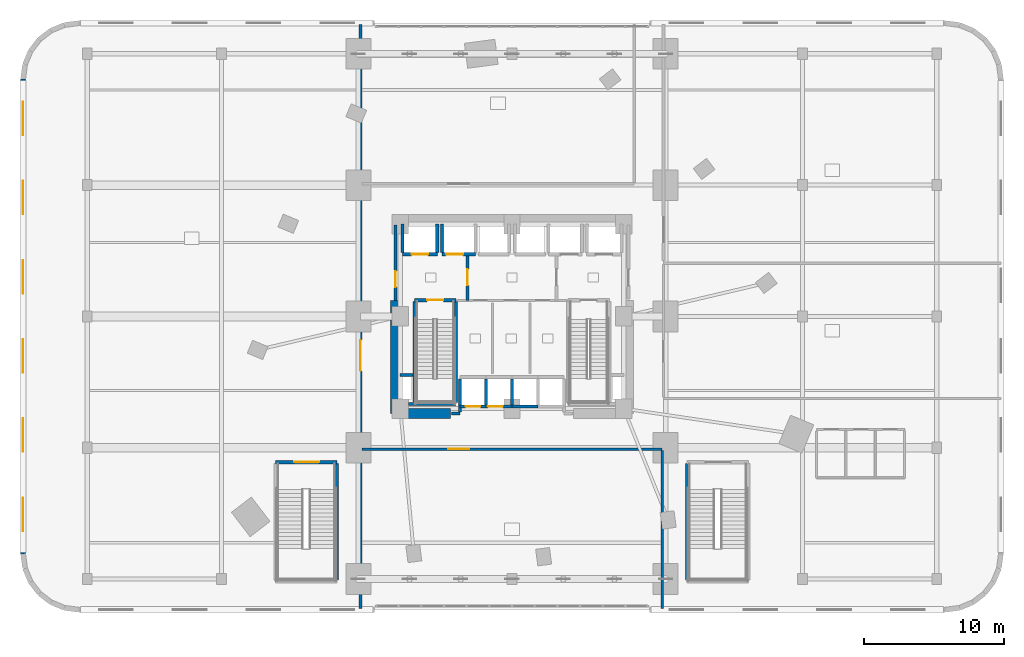
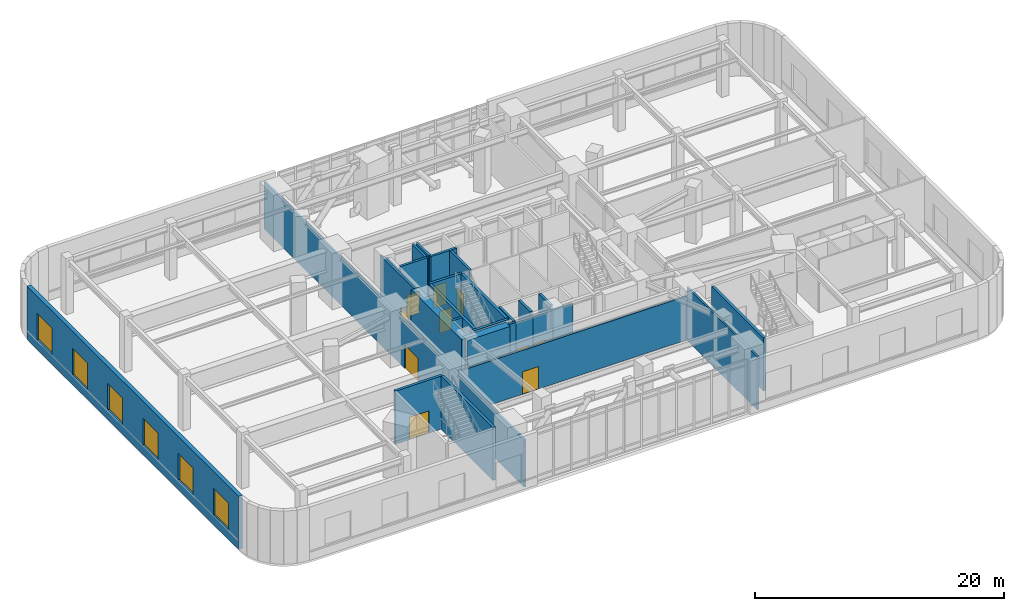
# One storey, part 13 of 19: 28 walls, 10 doors, 6 windows, 16 openings.
"""IFC4 building model written with IfcOpenShell, lengths in metres."""

from ifc_helpers import new_model, si_unit, direction, frame, frame_2d, origin, place, context, subcontext, project, spatial, rectangle, extrude, material, layer, layer_set, type_object, element, fill, save


model = new_model("IFC4")

# Units and contexts
model_context = context("Model", 3, precision=1e-05, world=origin(), true_north=direction((0.0, 1.0)))
body_context = subcontext(model_context, "Body", "Model", "MODEL_VIEW")
ifc_project = project(units=[si_unit("LENGTHUNIT", "METRE"), si_unit("AREAUNIT", "SQUARE_METRE"), si_unit("VOLUMEUNIT", "CUBIC_METRE"), si_unit("PLANEANGLEUNIT", "RADIAN"), si_unit("MASSUNIT", "GRAM", prefix="KILO")], contexts=[model_context])

# Site, building, storey
site_placement = place(None, origin())
site = spatial("IfcSite", under=ifc_project, at=site_placement, CompositionType="ELEMENT")
building_placement = place(site_placement, origin())
building = spatial("IfcBuilding", under=site, at=building_placement, Name="Ndelora Gate Hotel", CompositionType="ELEMENT")
storey_placement = place(building_placement, frame((0.0, 0.0, 16.0)))
storey = spatial("IfcBuildingStorey", under=building, at=storey_placement, Name="L03", CompositionType="ELEMENT", Elevation=16.0)

# Wall, openings, windows
ifc_material_1 = material(Name="Clay Brick Masonry", Category="masonry")
ifc_layer_1 = layer(ifc_material_1, 0.360107421875)
ifc_layer_set_1 = layer_set([ifc_layer_1], Name="Clay Brick Masonry")
wall_type_1 = type_object("IfcWallType", Name="WL-BRICK-360", PredefinedType="SOLIDWALL", material=ifc_layer_set_1)
wall_1_placement = place(storey_placement, frame((-35.0, -17.0, 0.0), z_axis=(0.0, 0.0, 1.0), x_axis=(0.0, 1.0, 0.0)))
wall_1 = element("IfcWall", 1, at=wall_1_placement, inside=storey, type_object=wall_type_1, Name="L03 Exterior Brick Pier-and-Spandrel Wall 22", PredefinedType="SOLIDWALL", context=body_context, shape_type="SweptSolid", body=[
    extrude(rectangle(XDim=34.0, YDim=0.360107421875, at=frame_2d((17.0, 0.0))), origin(), (0.0, 0.0, 1.0), 5.219970703125),
])
opening_1_placement = place(wall_1_placement, frame((1.63330078125, 0.0, 0.949951171875)))
opening_1 = element("IfcOpeningElement", 2, at=opening_1_placement, cuts=wall_1, Name="Opening W04", PredefinedType="OPENING", context=body_context, shape_type="SweptSolid", body=[
    extrude(rectangle(XDim=2.39990234375, YDim=2.60009765625, at=frame_2d((1.199951171875, 1.300048828125))), frame((0.0, 0.18994140625, 0.0), z_axis=(0.0, -1.0, 0.0), x_axis=(1.0, 0.0, 0.0)), (0.0, 0.0, 1.0), 0.380126953125),
])
opening_2_placement = place(wall_1_placement, frame((7.300048828125, 0.0, 0.949951171875)))
opening_2 = element("IfcOpeningElement", 3, at=opening_2_placement, cuts=wall_1, Name="Opening W04", PredefinedType="OPENING", context=body_context, shape_type="SweptSolid", body=[
    extrude(rectangle(XDim=2.39990234375, YDim=2.60009765625, at=frame_2d((1.199951171875, 1.300048828125))), frame((0.0, 0.18994140625, 0.0), z_axis=(0.0, -1.0, 0.0), x_axis=(1.0, 0.0, 0.0)), (0.0, 0.0, 1.0), 0.380126953125),
])
opening_3_placement = place(wall_1_placement, frame((12.966796875, 0.0, 0.949951171875)))
opening_3 = element("IfcOpeningElement", 4, at=opening_3_placement, cuts=wall_1, Name="Opening W04", PredefinedType="OPENING", context=body_context, shape_type="SweptSolid", body=[
    extrude(rectangle(XDim=2.39990234375, YDim=2.60009765625, at=frame_2d((1.199951171875, 1.300048828125))), frame((0.0, 0.18994140625, 0.0), z_axis=(0.0, -1.0, 0.0), x_axis=(1.0, 0.0, 0.0)), (0.0, 0.0, 1.0), 0.380126953125),
])
opening_4_placement = place(wall_1_placement, frame((18.63330078125, 0.0, 0.949951171875)))
opening_4 = element("IfcOpeningElement", 5, at=opening_4_placement, cuts=wall_1, Name="Opening W04", PredefinedType="OPENING", context=body_context, shape_type="SweptSolid", body=[
    extrude(rectangle(XDim=2.39990234375, YDim=2.60009765625, at=frame_2d((1.199951171875, 1.300048828125))), frame((0.0, 0.18994140625, 0.0), z_axis=(0.0, -1.0, 0.0), x_axis=(1.0, 0.0, 0.0)), (0.0, 0.0, 1.0), 0.380126953125),
])
opening_5_placement = place(wall_1_placement, frame((24.300048828125, 0.0, 0.949951171875)))
opening_5 = element("IfcOpeningElement", 6, at=opening_5_placement, cuts=wall_1, Name="Opening W04", PredefinedType="OPENING", context=body_context, shape_type="SweptSolid", body=[
    extrude(rectangle(XDim=2.39990234375, YDim=2.60009765625, at=frame_2d((1.199951171875, 1.300048828125))), frame((0.0, 0.18994140625, 0.0), z_axis=(0.0, -1.0, 0.0), x_axis=(1.0, 0.0, 0.0)), (0.0, 0.0, 1.0), 0.380126953125),
])
opening_6_placement = place(wall_1_placement, frame((29.966796875, 0.0, 0.949951171875)))
opening_6 = element("IfcOpeningElement", 7, at=opening_6_placement, cuts=wall_1, Name="Opening W04", PredefinedType="OPENING", context=body_context, shape_type="SweptSolid", body=[
    extrude(rectangle(XDim=2.39990234375, YDim=2.60009765625, at=frame_2d((1.199951171875, 1.300048828125))), frame((0.0, 0.18994140625, 0.0), z_axis=(0.0, -1.0, 0.0), x_axis=(1.0, 0.0, 0.0)), (0.0, 0.0, 1.0), 0.380126953125),
])
ifc_material_2 = material(Name="Insulated Low-E Double Glazing in Bronze Aluminium Frame", Category="aluminium")
window_type = type_object("IfcWindowType", Name="WN-POD-2400", PartitioningType="SINGLE_PANEL", PredefinedType="WINDOW", material=ifc_material_2)
window_1_placement = place(opening_1_placement, origin())
window_1 = element("IfcWindow", 8, at=window_1_placement, inside=storey, type_object=window_type, Name="L03 Deep-Set Podium Brick-Frame Window W04", OverallHeight=2.60009765625, OverallWidth=2.39990234375, PartitioningType="SINGLE_PANEL", PredefinedType="WINDOW", context=body_context, shape_type="SweptSolid", body=[
    extrude(rectangle(XDim=2.39990234375, YDim=2.60009765625, at=frame_2d((1.199951171875, 1.300048828125))), frame((0.0, 0.030029296875, 0.0), z_axis=(0.0, -1.0, 0.0), x_axis=(1.0, 0.0, 0.0)), (0.0, 0.0, 1.0), 0.06005859375),
])
fill(opening_1, window_1)
window_2_placement = place(opening_2_placement, origin())
window_2 = element("IfcWindow", 9, at=window_2_placement, inside=storey, type_object=window_type, Name="L03 Deep-Set Podium Brick-Frame Window W04", OverallHeight=2.60009765625, OverallWidth=2.39990234375, PartitioningType="SINGLE_PANEL", PredefinedType="WINDOW", context=body_context, shape_type="SweptSolid", body=[
    extrude(rectangle(XDim=2.39990234375, YDim=2.60009765625, at=frame_2d((1.199951171875, 1.300048828125))), frame((0.0, 0.030029296875, 0.0), z_axis=(0.0, -1.0, 0.0), x_axis=(1.0, 0.0, 0.0)), (0.0, 0.0, 1.0), 0.06005859375),
])
fill(opening_2, window_2)
window_3_placement = place(opening_3_placement, origin())
window_3 = element("IfcWindow", 10, at=window_3_placement, inside=storey, type_object=window_type, Name="L03 Deep-Set Podium Brick-Frame Window W04", OverallHeight=2.60009765625, OverallWidth=2.39990234375, PartitioningType="SINGLE_PANEL", PredefinedType="WINDOW", context=body_context, shape_type="SweptSolid", body=[
    extrude(rectangle(XDim=2.39990234375, YDim=2.60009765625, at=frame_2d((1.199951171875, 1.300048828125))), frame((0.0, 0.030029296875, 0.0), z_axis=(0.0, -1.0, 0.0), x_axis=(1.0, 0.0, 0.0)), (0.0, 0.0, 1.0), 0.06005859375),
])
fill(opening_3, window_3)
window_4_placement = place(opening_4_placement, origin())
window_4 = element("IfcWindow", 11, at=window_4_placement, inside=storey, type_object=window_type, Name="L03 Deep-Set Podium Brick-Frame Window W04", OverallHeight=2.60009765625, OverallWidth=2.39990234375, PartitioningType="SINGLE_PANEL", PredefinedType="WINDOW", context=body_context, shape_type="SweptSolid", body=[
    extrude(rectangle(XDim=2.39990234375, YDim=2.60009765625, at=frame_2d((1.199951171875, 1.300048828125))), frame((0.0, 0.030029296875, 0.0), z_axis=(0.0, -1.0, 0.0), x_axis=(1.0, 0.0, 0.0)), (0.0, 0.0, 1.0), 0.06005859375),
])
fill(opening_4, window_4)
window_5_placement = place(opening_5_placement, origin())
window_5 = element("IfcWindow", 12, at=window_5_placement, inside=storey, type_object=window_type, Name="L03 Deep-Set Podium Brick-Frame Window W04", OverallHeight=2.60009765625, OverallWidth=2.39990234375, PartitioningType="SINGLE_PANEL", PredefinedType="WINDOW", context=body_context, shape_type="SweptSolid", body=[
    extrude(rectangle(XDim=2.39990234375, YDim=2.60009765625, at=frame_2d((1.199951171875, 1.300048828125))), frame((0.0, 0.030029296875, 0.0), z_axis=(0.0, -1.0, 0.0), x_axis=(1.0, 0.0, 0.0)), (0.0, 0.0, 1.0), 0.06005859375),
])
fill(opening_5, window_5)
window_6_placement = place(opening_6_placement, origin())
window_6 = element("IfcWindow", 13, at=window_6_placement, inside=storey, type_object=window_type, Name="L03 Deep-Set Podium Brick-Frame Window W04", OverallHeight=2.60009765625, OverallWidth=2.39990234375, PartitioningType="SINGLE_PANEL", PredefinedType="WINDOW", context=body_context, shape_type="SweptSolid", body=[
    extrude(rectangle(XDim=2.39990234375, YDim=2.60009765625, at=frame_2d((1.199951171875, 1.300048828125))), frame((0.0, 0.030029296875, 0.0), z_axis=(0.0, -1.0, 0.0), x_axis=(1.0, 0.0, 0.0)), (0.0, 0.0, 1.0), 0.06005859375),
])
fill(opening_6, window_6)

# Walls
ifc_material_3 = material(Name="Concrete C60/75", Category="concrete")
ifc_layer_2 = layer(ifc_material_3, 0.699951171875)
ifc_layer_set_2 = layer_set([ifc_layer_2], Name="Concrete C60/75")
wall_type_2 = type_object("IfcWallType", Name="WL-CORE-700", PredefinedType="SHEAR", material=ifc_layer_set_2)
wall_2_placement = place(storey_placement, frame((-8.35009765625, -6.949951171875, 0.0), z_axis=(0.0, 0.0, 1.0), x_axis=(1.0, 0.0, 0.0)))
element("IfcWall", 14, at=wall_2_placement, inside=storey, type_object=wall_type_2, Name="L03 Core Shear Wall S-W", PredefinedType="SHEAR", context=body_context, shape_type="SweptSolid", body=[
    extrude(rectangle(XDim=3.9501953125, YDim=0.699951171875, at=frame_2d((1.97509765625, 0.0))), origin(), (0.0, 0.0, 1.0), 5.219970703125),
])
wall_3_placement = place(storey_placement, frame((-8.35009765625, -6.949951171875, 0.0), z_axis=(0.0, 0.0, 1.0), x_axis=(0.0, 1.0, 0.0)))
element("IfcWall", 15, at=wall_3_placement, inside=storey, type_object=wall_type_2, Name="L03 Core Shear Wall W", PredefinedType="SHEAR", context=body_context, shape_type="SweptSolid", body=[
    extrude(rectangle(XDim=8.099853515625, YDim=0.699951171875, at=frame_2d((4.0498046875, 0.0))), origin(), (0.0, 0.0, 1.0), 5.219970703125),
])

# Wall, opening, door
ifc_material_4 = material(Name="Concrete C40/50", Category="concrete")
ifc_layer_3 = layer(ifc_material_4, 0.199951171875)
ifc_layer_set_3 = layer_set([ifc_layer_3], Name="Concrete C40/50")
wall_type_3 = type_object("IfcWallType", Name="WL-FIRE-200", PredefinedType="PARTITIONING", material=ifc_layer_set_3)
wall_4_placement = place(storey_placement, frame((-3.179931640625, 1.14990234375, 0.0), z_axis=(0.0, 0.0, 1.0), x_axis=(0.0, 1.0, 0.0)))
wall_4 = element("IfcWall", 16, at=wall_4_placement, inside=storey, type_object=wall_type_3, Name="L03 Interior Wall IW-2", PredefinedType="PARTITIONING", context=body_context, shape_type="SweptSolid", body=[
    extrude(rectangle(XDim=3.300048828125, YDim=0.199951171875, at=frame_2d((1.64990234375, 0.0))), origin(), (0.0, 0.0, 1.0), 5.219970703125),
])
opening_7_placement = place(wall_4_placement, frame((1.080078125, 0.0, 0.0)))
opening_7 = element("IfcOpeningElement", 17, at=opening_7_placement, cuts=wall_4, Name="Opening FD1", PredefinedType="OPENING", context=body_context, shape_type="SweptSolid", body=[
    extrude(rectangle(XDim=1.14990234375, YDim=2.14990234375, at=frame_2d((0.574951171875, 1.074951171875))), frame((0.0, 0.10986328125, 0.0), z_axis=(0.0, -1.0, 0.0), x_axis=(1.0, 0.0, 0.0)), (0.0, 0.0, 1.0), 0.219970703125),
])
ifc_material_5 = material(Name="Fire-Rated Timber-Veneer Steel Core", Category="steel")
door_type_1 = type_object("IfcDoorType", Name="DR-FD60", OperationType="SINGLE_SWING_LEFT", PredefinedType="DOOR", material=ifc_material_5)
door_1_placement = place(opening_7_placement, origin())
door_1 = element("IfcDoor", 18, at=door_1_placement, inside=storey, type_object=door_type_1, Name="L03 Firefighting Lobby West Door", OperationType="SINGLE_SWING_RIGHT", OverallHeight=2.14990234375, OverallWidth=1.14990234375, PredefinedType="DOOR", context=body_context, shape_type="SweptSolid", body=[
    extrude(rectangle(XDim=1.14990234375, YDim=2.14990234375, at=frame_2d((0.574951171875, 1.074951171875))), frame((0.0, 0.02490234375, 0.0), z_axis=(0.0, -1.0, 0.0), x_axis=(1.0, 0.0, 0.0)), (0.0, 0.0, 1.0), 0.050048828125),
])
fill(opening_7, door_1)

wall_5_placement = place(storey_placement, frame((-8.35009765625, 1.14990234375, 0.0), z_axis=(0.0, 0.0, 1.0), x_axis=(0.0, 1.0, 0.0)))
wall_5 = element("IfcWall", 19, at=wall_5_placement, inside=storey, type_object=wall_type_3, Name="L03 Interior Wall IW-2", PredefinedType="PARTITIONING", context=body_context, shape_type="SweptSolid", body=[
    extrude(rectangle(XDim=5.400146484375, YDim=0.199951171875, at=frame_2d((2.7001953125, 0.0))), origin(), (0.0, 0.0, 1.0), 5.219970703125),
])
opening_8_placement = place(wall_5_placement, frame((0.949951171875, 0.0, 0.0)))
opening_8 = element("IfcOpeningElement", 20, at=opening_8_placement, cuts=wall_5, Name="Opening FD1", PredefinedType="OPENING", context=body_context, shape_type="SweptSolid", body=[
    extrude(rectangle(XDim=1.14990234375, YDim=2.14990234375, at=frame_2d((0.574951171875, 1.074951171875))), frame((0.0, 0.10986328125, 0.0), z_axis=(0.0, -1.0, 0.0), x_axis=(1.0, 0.0, 0.0)), (0.0, 0.0, 1.0), 0.219970703125),
])
door_2_placement = place(opening_8_placement, origin())
door_2 = element("IfcDoor", 21, at=door_2_placement, inside=storey, type_object=door_type_1, Name="L03 Firefighting Lobby West Corridor Door", OperationType="SINGLE_SWING_LEFT", OverallHeight=2.14990234375, OverallWidth=1.14990234375, PredefinedType="DOOR", context=body_context, shape_type="SweptSolid", body=[
    extrude(rectangle(XDim=1.14990234375, YDim=2.14990234375, at=frame_2d((0.574951171875, 1.074951171875))), frame((0.0, 0.02490234375, 0.0), z_axis=(0.0, -1.0, 0.0), x_axis=(1.0, 0.0, 0.0)), (0.0, 0.0, 1.0), 0.050048828125),
])
fill(opening_8, door_2)

# Wall
wall_6_placement = place(storey_placement, frame((-4.320068359375, -6.949951171875, 0.0), z_axis=(0.0, 0.0, 1.0), x_axis=(1.0, 0.0, 0.0)))
element("IfcWall", 22, at=wall_6_placement, inside=storey, type_object=wall_type_3, Name="L03 Interior Wall IW-2", PredefinedType="PARTITIONING", context=body_context, shape_type="SweptSolid", body=[
    extrude(rectangle(XDim=0.60009765625, YDim=0.199951171875, at=frame_2d((0.300048828125, 0.0))), origin(), (0.0, 0.0, 1.0), 5.219970703125),
])

# Wall, opening, door
wall_7_placement = place(storey_placement, frame((-10.85009765625, -20.89990234375, 0.0), z_axis=(0.0, 0.0, 1.0), x_axis=(0.0, 1.0, 0.0)))
wall_7 = element("IfcWall", 23, at=wall_7_placement, inside=storey, type_object=wall_type_3, Name="L03 Interior Wall IW-2", PredefinedType="PARTITIONING", context=body_context, shape_type="SweptSolid", body=[
    extrude(rectangle(XDim=41.7998046875, YDim=0.199951171875, at=frame_2d((20.89990234375, 0.0))), origin(), (0.0, 0.0, 1.0), 4.60009765625),
])
opening_9_placement = place(wall_7_placement, frame((17.0, 0.0, 0.0)))
opening_9 = element("IfcOpeningElement", 24, at=opening_9_placement, cuts=wall_7, Name="Opening FD4", PredefinedType="OPENING", context=body_context, shape_type="SweptSolid", body=[
    extrude(rectangle(XDim=2.199951171875, YDim=2.300048828125, at=frame_2d((1.10009765625, 1.14990234375))), frame((0.0, 0.10986328125, 0.0), z_axis=(0.0, -1.0, 0.0), x_axis=(1.0, 0.0, 0.0)), (0.0, 0.0, 1.0), 0.219970703125),
])
ifc_material_6 = material(Name="Grand Ballroom Acoustic Double Fire Door", Category="wood")
door_type_2 = type_object("IfcDoorType", Name="DR-BALL-2200", OperationType="DOUBLE_DOOR_SINGLE_SWING", PredefinedType="DOOR", material=ifc_material_6)
door_3_placement = place(opening_9_placement, origin())
door_3 = element("IfcDoor", 25, at=door_3_placement, inside=storey, type_object=door_type_2, Name="L03 Clear-Span Grand Ballroom Door", OperationType="DOUBLE_DOOR_SINGLE_SWING", OverallHeight=2.300048828125, OverallWidth=2.199951171875, PredefinedType="DOOR", context=body_context, shape_type="SweptSolid", body=[
    extrude(rectangle(XDim=2.199951171875, YDim=2.300048828125, at=frame_2d((1.10009765625, 1.14990234375))), frame((0.0, 0.02490234375, 0.0), z_axis=(0.0, -1.0, 0.0), x_axis=(1.0, 0.0, 0.0)), (0.0, 0.0, 1.0), 0.050048828125),
])
fill(opening_9, door_3)

ifc_material_7 = material(Name="Fire-Rated Gypsum Stud Partition", Category="gypsum")
ifc_layer_4 = layer(ifc_material_7, 0.159912109375)
ifc_layer_set_4 = layer_set([ifc_layer_4], Name="Fire-Rated Gypsum Stud Partition")
wall_type_4 = type_object("IfcWallType", Name="WL-PART-160", PredefinedType="PARTITIONING", material=ifc_layer_set_4)
wall_8_placement = place(storey_placement, frame((10.75, -9.5, 0.0), z_axis=(0.0, 0.0, 1.0), x_axis=(-1.0, 0.0, 0.0)))
wall_8 = element("IfcWall", 26, at=wall_8_placement, inside=storey, type_object=wall_type_4, Name="L03 Interior Wall IW-4", PredefinedType="PARTITIONING", context=body_context, shape_type="SweptSolid", body=[
    extrude(rectangle(XDim=21.5, YDim=0.159912109375, at=frame_2d((10.75, 0.0))), origin(), (0.0, 0.0, 1.0), 4.300048828125),
])
opening_10_placement = place(wall_8_placement, frame((13.800048828125, 0.0, 0.0)))
opening_10 = element("IfcOpeningElement", 27, at=opening_10_placement, cuts=wall_8, Name="Opening D06", PredefinedType="OPENING", context=body_context, shape_type="SweptSolid", body=[
    extrude(rectangle(XDim=1.5, YDim=2.199951171875, at=frame_2d((0.75, 1.10009765625))), frame((0.0, 0.08984375, 0.0), z_axis=(0.0, -1.0, 0.0), x_axis=(1.0, 0.0, 0.0)), (0.0, 0.0, 1.0), 0.179931640625),
])
ifc_material_8 = material(Name="Podium Salon Double Leaf Door", Category="wood")
door_type_3 = type_object("IfcDoorType", Name="DR-POD-1500", OperationType="DOUBLE_DOOR_SINGLE_SWING", PredefinedType="DOOR", material=ifc_material_8)
door_4_placement = place(opening_10_placement, origin())
door_4 = element("IfcDoor", 28, at=door_4_placement, inside=storey, type_object=door_type_3, Name="L03 South Ballroom Salon Door", OperationType="DOUBLE_DOOR_SINGLE_SWING", OverallHeight=2.199951171875, OverallWidth=1.5, PredefinedType="DOOR", context=body_context, shape_type="SweptSolid", body=[
    extrude(rectangle(XDim=1.5, YDim=2.199951171875, at=frame_2d((0.75, 1.10009765625))), frame((0.0, 0.02490234375, 0.0), z_axis=(0.0, -1.0, 0.0), x_axis=(1.0, 0.0, 0.0)), (0.0, 0.0, 1.0), 0.050048828125),
])
fill(opening_10, door_4)

# Walls
wall_9_placement = place(storey_placement, frame((10.75, -20.89990234375, 0.0), z_axis=(0.0, 0.0, 1.0), x_axis=(0.0, 1.0, 0.0)))
element("IfcWall", 29, at=wall_9_placement, inside=storey, type_object=wall_type_4, Name="L03 Interior Wall IW-4", PredefinedType="PARTITIONING", context=body_context, shape_type="SweptSolid", body=[
    extrude(rectangle(XDim=11.2998046875, YDim=0.159912109375, at=frame_2d((5.64990234375, 0.0))), origin(), (0.0, 0.0, 1.0), 5.219970703125),
])
ifc_layer_5 = layer(ifc_material_4, 0.219970703125)
ifc_layer_set_5 = layer_set([ifc_layer_5], Name="Concrete C40/50")
wall_type_5 = type_object("IfcWallType", Name="WL-SHAFT-220", PredefinedType="PARTITIONING", material=ifc_layer_set_5)
wall_10_placement = place(storey_placement, frame((-8.0, -4.199951171875, 0.0), z_axis=(0.0, 0.0, 1.0), x_axis=(1.0, 0.0, 0.0)))
element("IfcWall", 30, at=wall_10_placement, inside=storey, type_object=wall_type_5, Name="L03 Interior Wall IW-1", PredefinedType="PARTITIONING", context=body_context, shape_type="SweptSolid", body=[
    extrude(rectangle(XDim=0.909912109375, YDim=0.219970703125, at=frame_2d((0.455078125, 0.0))), origin(), (0.0, 0.0, 1.0), 5.219970703125),
])

# Wall, opening, door
wall_11_placement = place(storey_placement, frame((-7.85009765625, 4.449951171875, 0.0), z_axis=(0.0, 0.0, 1.0), x_axis=(1.0, 0.0, 0.0)))
wall_11 = element("IfcWall", 31, at=wall_11_placement, inside=storey, type_object=wall_type_5, Name="L03 Interior Wall IW-1", PredefinedType="PARTITIONING", context=body_context, shape_type="SweptSolid", body=[
    extrude(rectangle(XDim=2.5, YDim=0.219970703125, at=frame_2d((1.25, 0.0))), origin(), (0.0, 0.0, 1.0), 5.219970703125),
])
opening_11_placement = place(wall_11_placement, frame((0.659912109375, 0.0, 0.0)))
opening_11 = element("IfcOpeningElement", 32, at=opening_11_placement, cuts=wall_11, Name="Opening LD5", PredefinedType="OPENING", context=body_context, shape_type="SweptSolid", body=[
    extrude(rectangle(XDim=1.179931640625, YDim=2.14990234375, at=frame_2d((0.58984375, 1.074951171875))), frame((0.0, 0.1201171875, 0.0), z_axis=(0.0, -1.0, 0.0), x_axis=(1.0, 0.0, 0.0)), (0.0, 0.0, 1.0), 0.239990234375),
])
ifc_material_9 = material(Name="Firefighting Lift Stainless Sliding Landing Door", Category="metal")
door_type_4 = type_object("IfcDoorType", Name="DR-LD5", OperationType="DOUBLE_DOOR_SLIDING", PredefinedType="DOOR", material=ifc_material_9)
door_5_placement = place(opening_11_placement, origin())
door_5 = element("IfcDoor", 33, at=door_5_placement, inside=storey, type_object=door_type_4, Name="L03 Lift Landing Sliding Door FFL1", OperationType="DOUBLE_DOOR_SLIDING", OverallHeight=2.14990234375, OverallWidth=1.179931640625, PredefinedType="DOOR", context=body_context, shape_type="SweptSolid", body=[
    extrude(rectangle(XDim=1.179931640625, YDim=2.14990234375, at=frame_2d((0.58984375, 1.074951171875))), frame((0.0, 0.02490234375, 0.0), z_axis=(0.0, -1.0, 0.0), x_axis=(1.0, 0.0, 0.0)), (0.0, 0.0, 1.0), 0.050048828125),
])
fill(opening_11, door_5)

# Walls
wall_12_placement = place(storey_placement, frame((-7.85009765625, 4.570068359375, 0.0), z_axis=(0.0, 0.0, 1.0), x_axis=(0.0, 1.0, 0.0)))
element("IfcWall", 34, at=wall_12_placement, inside=storey, type_object=wall_type_5, Name="L03 Interior Wall IW-1", PredefinedType="PARTITIONING", context=body_context, shape_type="SweptSolid", body=[
    extrude(rectangle(XDim=2.030029296875, YDim=0.219970703125, at=frame_2d((1.01513671875, 0.0))), origin(), (0.0, 0.0, 1.0), 4.800048828125),
])
wall_13_placement = place(storey_placement, frame((-5.35009765625, 4.570068359375, 0.0), z_axis=(0.0, 0.0, 1.0), x_axis=(0.0, 1.0, 0.0)))
element("IfcWall", 35, at=wall_13_placement, inside=storey, type_object=wall_type_5, Name="L03 Interior Wall IW-1", PredefinedType="PARTITIONING", context=body_context, shape_type="SweptSolid", body=[
    extrude(rectangle(XDim=2.030029296875, YDim=0.219970703125, at=frame_2d((1.01513671875, 0.0))), origin(), (0.0, 0.0, 1.0), 5.219970703125),
])

# Wall, opening, door
wall_14_placement = place(storey_placement, frame((-5.0, 4.449951171875, 0.0), z_axis=(0.0, 0.0, 1.0), x_axis=(1.0, 0.0, 0.0)))
wall_14 = element("IfcWall", 36, at=wall_14_placement, inside=storey, type_object=wall_type_5, Name="L03 Interior Wall IW-1", PredefinedType="PARTITIONING", context=body_context, shape_type="SweptSolid", body=[
    extrude(rectangle(XDim=2.39990234375, YDim=0.219970703125, at=frame_2d((1.199951171875, 0.0))), origin(), (0.0, 0.0, 1.0), 5.219970703125),
])
opening_12_placement = place(wall_14_placement, frame((0.280029296875, 0.0, 0.0)))
opening_12 = element("IfcOpeningElement", 37, at=opening_12_placement, cuts=wall_14, Name="Opening LD6", PredefinedType="OPENING", context=body_context, shape_type="SweptSolid", body=[
    extrude(rectangle(XDim=1.219970703125, YDim=2.14990234375, at=frame_2d((0.60986328125, 1.074951171875))), frame((0.0, 0.1201171875, 0.0), z_axis=(0.0, -1.0, 0.0), x_axis=(1.0, 0.0, 0.0)), (0.0, 0.0, 1.0), 0.239990234375),
])
ifc_material_10 = material(Name="Heavy-Duty Service Lift Sliding Landing Door", Category="wood")
door_type_5 = type_object("IfcDoorType", Name="DR-LD6", OperationType="DOUBLE_DOOR_SLIDING", PredefinedType="DOOR", material=ifc_material_10)
door_6_placement = place(opening_12_placement, origin())
door_6 = element("IfcDoor", 38, at=door_6_placement, inside=storey, type_object=door_type_5, Name="L03 Lift Landing Sliding Door SVL1", OperationType="DOUBLE_DOOR_SLIDING", OverallHeight=2.14990234375, OverallWidth=1.219970703125, PredefinedType="DOOR", context=body_context, shape_type="SweptSolid", body=[
    extrude(rectangle(XDim=1.219970703125, YDim=2.14990234375, at=frame_2d((0.60986328125, 1.074951171875))), frame((0.0, 0.02490234375, 0.0), z_axis=(0.0, -1.0, 0.0), x_axis=(1.0, 0.0, 0.0)), (0.0, 0.0, 1.0), 0.050048828125),
])
fill(opening_12, door_6)

# Wall
wall_15_placement = place(storey_placement, frame((-5.0, 4.570068359375, 0.0), z_axis=(0.0, 0.0, 1.0), x_axis=(0.0, 1.0, 0.0)))
element("IfcWall", 39, at=wall_15_placement, inside=storey, type_object=wall_type_5, Name="L03 Interior Wall IW-1", PredefinedType="PARTITIONING", context=body_context, shape_type="SweptSolid", body=[
    extrude(rectangle(XDim=2.030029296875, YDim=0.219970703125, at=frame_2d((1.01513671875, 0.0))), origin(), (0.0, 0.0, 1.0), 5.219970703125),
])

# Wall, opening, door
wall_16_placement = place(storey_placement, frame((-3.719970703125, -6.449951171875, 0.0), z_axis=(0.0, 0.0, 1.0), x_axis=(1.0, 0.0, 0.0)))
wall_16 = element("IfcWall", 40, at=wall_16_placement, inside=storey, type_object=wall_type_5, Name="L03 Interior Wall IW-1", PredefinedType="PARTITIONING", context=body_context, shape_type="SweptSolid", body=[
    extrude(rectangle(XDim=1.85986328125, YDim=0.219970703125, at=frame_2d((0.929931640625, 0.0))), origin(), (0.0, 0.0, 1.0), 4.800048828125),
])
opening_13_placement = place(wall_16_placement, frame((0.39990234375, 0.0, 0.0)))
opening_13 = element("IfcOpeningElement", 41, at=opening_13_placement, cuts=wall_16, Name="Opening LD1", PredefinedType="OPENING", context=body_context, shape_type="SweptSolid", body=[
    extrude(rectangle(XDim=1.06005859375, YDim=2.14990234375, at=frame_2d((0.530029296875, 1.074951171875))), frame((0.0, 0.1201171875, 0.0), z_axis=(0.0, -1.0, 0.0), x_axis=(1.0, 0.0, 0.0)), (0.0, 0.0, 1.0), 0.239990234375),
])
ifc_material_11 = material(Name="Brushed Bronze Stainless Lift Landing Door", Category="metal")
door_type_6 = type_object("IfcDoorType", Name="DR-LD1", OperationType="DOUBLE_DOOR_SLIDING", PredefinedType="DOOR", material=ifc_material_11)
door_7_placement = place(opening_13_placement, origin())
door_7 = element("IfcDoor", 42, at=door_7_placement, inside=storey, type_object=door_type_6, Name="L03 Lift Landing Sliding Door P1A", OperationType="DOUBLE_DOOR_SLIDING", OverallHeight=2.14990234375, OverallWidth=1.06005859375, PredefinedType="DOOR", context=body_context, shape_type="SweptSolid", body=[
    extrude(rectangle(XDim=1.06005859375, YDim=2.14990234375, at=frame_2d((0.530029296875, 1.074951171875))), frame((0.0, 0.02490234375, 0.0), z_axis=(0.0, -1.0, 0.0), x_axis=(1.0, 0.0, 0.0)), (0.0, 0.0, 1.0), 0.050048828125),
])
fill(opening_13, door_7)

# Walls
wall_17_placement = place(storey_placement, frame((-3.719970703125, -6.830078125, 0.0), z_axis=(0.0, 0.0, 1.0), x_axis=(0.0, 1.0, 0.0)))
element("IfcWall", 43, at=wall_17_placement, inside=storey, type_object=wall_type_5, Name="L03 Interior Wall IW-1", PredefinedType="PARTITIONING", context=body_context, shape_type="SweptSolid", body=[
    extrude(rectangle(XDim=2.360107421875, YDim=0.219970703125, at=frame_2d((1.18017578125, 0.0))), origin(), (0.0, 0.0, 1.0), 5.219970703125),
])
wall_18_placement = place(storey_placement, frame((-1.860107421875, -6.330078125, 0.0), z_axis=(0.0, 0.0, 1.0), x_axis=(0.0, 1.0, 0.0)))
element("IfcWall", 44, at=wall_18_placement, inside=storey, type_object=wall_type_5, Name="L03 Interior Wall IW-1", PredefinedType="PARTITIONING", context=body_context, shape_type="SweptSolid", body=[
    extrude(rectangle(XDim=1.860107421875, YDim=0.219970703125, at=frame_2d((0.93017578125, 0.0))), origin(), (0.0, 0.0, 1.0), 5.219970703125),
])

# Wall, opening, door
wall_19_placement = place(storey_placement, frame((-1.860107421875, -6.449951171875, 0.0), z_axis=(0.0, 0.0, 1.0), x_axis=(1.0, 0.0, 0.0)))
wall_19 = element("IfcWall", 45, at=wall_19_placement, inside=storey, type_object=wall_type_5, Name="L03 Interior Wall IW-1", PredefinedType="PARTITIONING", context=body_context, shape_type="SweptSolid", body=[
    extrude(rectangle(XDim=1.860107421875, YDim=0.219970703125, at=frame_2d((0.93017578125, 0.0))), origin(), (0.0, 0.0, 1.0), 4.800048828125),
])
opening_14_placement = place(wall_19_placement, frame((0.139892578125, 0.0, 0.0)))
opening_14 = element("IfcOpeningElement", 46, at=opening_14_placement, cuts=wall_19, Name="Opening LD1", PredefinedType="OPENING", context=body_context, shape_type="SweptSolid", body=[
    extrude(rectangle(XDim=1.06005859375, YDim=2.14990234375, at=frame_2d((0.530029296875, 1.074951171875))), frame((0.0, 0.1201171875, 0.0), z_axis=(0.0, -1.0, 0.0), x_axis=(1.0, 0.0, 0.0)), (0.0, 0.0, 1.0), 0.239990234375),
])
door_8_placement = place(opening_14_placement, origin())
door_8 = element("IfcDoor", 47, at=door_8_placement, inside=storey, type_object=door_type_6, Name="L03 Lift Landing Sliding Door P1B", OperationType="DOUBLE_DOOR_SLIDING", OverallHeight=2.14990234375, OverallWidth=1.06005859375, PredefinedType="DOOR", context=body_context, shape_type="SweptSolid", body=[
    extrude(rectangle(XDim=1.06005859375, YDim=2.14990234375, at=frame_2d((0.530029296875, 1.074951171875))), frame((0.0, 0.02490234375, 0.0), z_axis=(0.0, -1.0, 0.0), x_axis=(1.0, 0.0, 0.0)), (0.0, 0.0, 1.0), 0.050048828125),
])
fill(opening_14, door_8)

# Walls
wall_20_placement = place(storey_placement, frame((0.0, -6.330078125, 0.0), z_axis=(0.0, 0.0, 1.0), x_axis=(0.0, 1.0, 0.0)))
element("IfcWall", 48, at=wall_20_placement, inside=storey, type_object=wall_type_5, Name="L03 Interior Wall IW-1", PredefinedType="PARTITIONING", context=body_context, shape_type="SweptSolid", body=[
    extrude(rectangle(XDim=1.860107421875, YDim=0.219970703125, at=frame_2d((0.93017578125, 0.0))), origin(), (0.0, 0.0, 1.0), 5.219970703125),
])
wall_21_placement = place(storey_placement, frame((0.0, -6.449951171875, 0.0), z_axis=(0.0, 0.0, 1.0), x_axis=(1.0, 0.0, 0.0)))
element("IfcWall", 49, at=wall_21_placement, inside=storey, type_object=wall_type_5, Name="L03 Interior Wall IW-1", PredefinedType="PARTITIONING", context=body_context, shape_type="SweptSolid", body=[
    extrude(rectangle(XDim=1.860107421875, YDim=0.219970703125, at=frame_2d((0.93017578125, 0.0))), origin(), (0.0, 0.0, 1.0), 4.800048828125),
])
ifc_material_12 = material(Name="Concrete C50/60", Category="concrete")
ifc_layer_6 = layer(ifc_material_12, 0.239990234375)
ifc_layer_set_6 = layer_set([ifc_layer_6], Name="Concrete C50/60")
wall_type_6 = type_object("IfcWallType", Name="WL-STAIR-240", PredefinedType="SHEAR", material=ifc_layer_set_6)
wall_22_placement = place(storey_placement, frame((-6.969970703125, -6.159912109375, 0.0), z_axis=(0.0, 0.0, 1.0), x_axis=(0.0, 1.0, 0.0)))
element("IfcWall", 50, at=wall_22_placement, inside=storey, type_object=wall_type_6, Name="L03 Stair Core Shear Wall SW-ST", PredefinedType="SHEAR", context=body_context, shape_type="SweptSolid", body=[
    extrude(rectangle(XDim=7.219970703125, YDim=0.239990234375, at=frame_2d((3.60986328125, 0.0))), origin(), (0.0, 0.0, 1.0), 5.219970703125),
])
wall_23_placement = place(storey_placement, frame((-7.425048828125, -6.27001953125, 0.0), z_axis=(0.0, 0.0, 1.0), x_axis=(1.0, 0.0, 0.0)))
element("IfcWall", 51, at=wall_23_placement, inside=storey, type_object=wall_type_6, Name="L03 Stair Core Shear Wall SW-ST", PredefinedType="SHEAR", context=body_context, shape_type="SweptSolid", body=[
    extrude(rectangle(XDim=3.4150390625, YDim=0.239990234375, at=frame_2d((1.70751953125, 0.0))), origin(), (0.0, 0.0, 1.0), 5.219970703125),
])
wall_24_placement = place(storey_placement, frame((-4.010009765625, -6.159912109375, 0.0), z_axis=(0.0, 0.0, 1.0), x_axis=(0.0, 1.0, 0.0)))
element("IfcWall", 52, at=wall_24_placement, inside=storey, type_object=wall_type_6, Name="L03 Stair Core Shear Wall SW-ST", PredefinedType="SHEAR", context=body_context, shape_type="SweptSolid", body=[
    extrude(rectangle(XDim=7.219970703125, YDim=0.239990234375, at=frame_2d((3.60986328125, 0.0))), origin(), (0.0, 0.0, 1.0), 5.219970703125),
])

# Wall, opening, door
wall_25_placement = place(storey_placement, frame((-6.969970703125, 1.169921875, 0.0), z_axis=(0.0, 0.0, 1.0), x_axis=(1.0, 0.0, 0.0)))
wall_25 = element("IfcWall", 53, at=wall_25_placement, inside=storey, type_object=wall_type_6, Name="L03 Stair Core Shear Wall SW-ST", PredefinedType="SHEAR", context=body_context, shape_type="SweptSolid", body=[
    extrude(rectangle(XDim=2.9599609375, YDim=0.239990234375, at=frame_2d((1.47998046875, 0.0))), origin(), (0.0, 0.0, 1.0), 5.219970703125),
])
opening_15_placement = place(wall_25_placement, frame((0.89990234375, 0.0, 0.0)))
opening_15 = element("IfcOpeningElement", 54, at=opening_15_placement, cuts=wall_25, Name="Opening FD1", PredefinedType="OPENING", context=body_context, shape_type="SweptSolid", body=[
    extrude(rectangle(XDim=1.14990234375, YDim=2.14990234375, at=frame_2d((0.574951171875, 1.074951171875))), frame((0.0, 0.1298828125, 0.0), z_axis=(0.0, -1.0, 0.0), x_axis=(1.0, 0.0, 0.0)), (0.0, 0.0, 1.0), 0.260009765625),
])
door_9_placement = place(opening_15_placement, origin())
door_9 = element("IfcDoor", 55, at=door_9_placement, inside=storey, type_object=door_type_1, Name="L03 Exit Stair ST4 Door", OperationType="SINGLE_SWING_LEFT", OverallHeight=2.14990234375, OverallWidth=1.14990234375, PredefinedType="DOOR", context=body_context, shape_type="SweptSolid", body=[
    extrude(rectangle(XDim=1.14990234375, YDim=2.14990234375, at=frame_2d((0.574951171875, 1.074951171875))), frame((0.0, 0.02490234375, 0.0), z_axis=(0.0, -1.0, 0.0), x_axis=(1.0, 0.0, 0.0)), (0.0, 0.0, 1.0), 0.050048828125),
])
fill(opening_15, door_9)

# Wall
wall_26_placement = place(storey_placement, frame((-12.5400390625, -18.860107421875, 0.0), z_axis=(0.0, 0.0, 1.0), x_axis=(0.0, 1.0, 0.0)))
element("IfcWall", 56, at=wall_26_placement, inside=storey, type_object=wall_type_6, Name="L03 Stair Core Shear Wall SW-ST", PredefinedType="SHEAR", context=body_context, shape_type="SweptSolid", body=[
    extrude(rectangle(XDim=8.320068359375, YDim=0.239990234375, at=frame_2d((4.16015625, 0.0))), origin(), (0.0, 0.0, 1.0), 5.219970703125),
])

# Wall, opening, door
wall_27_placement = place(storey_placement, frame((-12.5400390625, -10.429931640625, 0.0), z_axis=(0.0, 0.0, 1.0), x_axis=(-1.0, 0.0, 0.0)))
wall_27 = element("IfcWall", 57, at=wall_27_placement, inside=storey, type_object=wall_type_6, Name="L03 Stair Core Shear Wall SW-ST", PredefinedType="SHEAR", context=body_context, shape_type="SweptSolid", body=[
    extrude(rectangle(XDim=4.3798828125, YDim=0.239990234375, at=frame_2d((2.18994140625, 0.0))), origin(), (0.0, 0.0, 1.0), 5.219970703125),
])
opening_16_placement = place(wall_27_placement, frame((1.25, 0.0, 0.0)))
opening_16 = element("IfcOpeningElement", 58, at=opening_16_placement, cuts=wall_27, Name="Opening FD2", PredefinedType="OPENING", context=body_context, shape_type="SweptSolid", body=[
    extrude(rectangle(XDim=1.800048828125, YDim=2.199951171875, at=frame_2d((0.89990234375, 1.10009765625))), frame((0.0, 0.1298828125, 0.0), z_axis=(0.0, -1.0, 0.0), x_axis=(1.0, 0.0, 0.0)), (0.0, 0.0, 1.0), 0.260009765625),
])
ifc_material_13 = material(Name="Fire-Rated Double Exit Door", Category="wood")
door_type_7 = type_object("IfcDoorType", Name="DR-DBL-1800", OperationType="DOUBLE_DOOR_SINGLE_SWING", PredefinedType="DOOR", material=ifc_material_13)
door_10_placement = place(opening_16_placement, origin())
door_10 = element("IfcDoor", 59, at=door_10_placement, inside=storey, type_object=door_type_7, Name="L03 Ballroom Stair ST3A Door", OperationType="DOUBLE_DOOR_SINGLE_SWING", OverallHeight=2.199951171875, OverallWidth=1.800048828125, PredefinedType="DOOR", context=body_context, shape_type="SweptSolid", body=[
    extrude(rectangle(XDim=1.800048828125, YDim=2.199951171875, at=frame_2d((0.89990234375, 1.10009765625))), frame((0.0, 0.02490234375, 0.0), z_axis=(0.0, -1.0, 0.0), x_axis=(1.0, 0.0, 0.0)), (0.0, 0.0, 1.0), 0.050048828125),
])
fill(opening_16, door_10)

# Wall
wall_28_placement = place(storey_placement, frame((12.5400390625, -18.860107421875, 0.0), z_axis=(0.0, 0.0, 1.0), x_axis=(0.0, 1.0, 0.0)))
element("IfcWall", 60, at=wall_28_placement, inside=storey, type_object=wall_type_6, Name="L03 Stair Core Shear Wall SW-ST", PredefinedType="SHEAR", context=body_context, shape_type="SweptSolid", body=[
    extrude(rectangle(XDim=8.320068359375, YDim=0.239990234375, at=frame_2d((4.16015625, 0.0))), origin(), (0.0, 0.0, 1.0), 5.219970703125),
])

save(model, "model.ifc")
